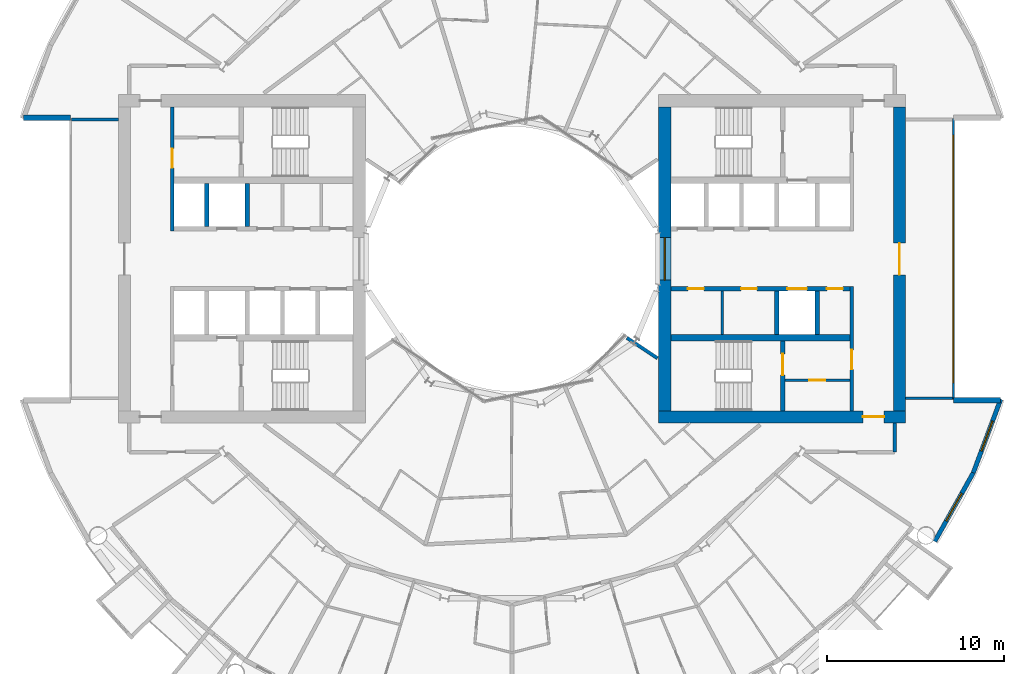
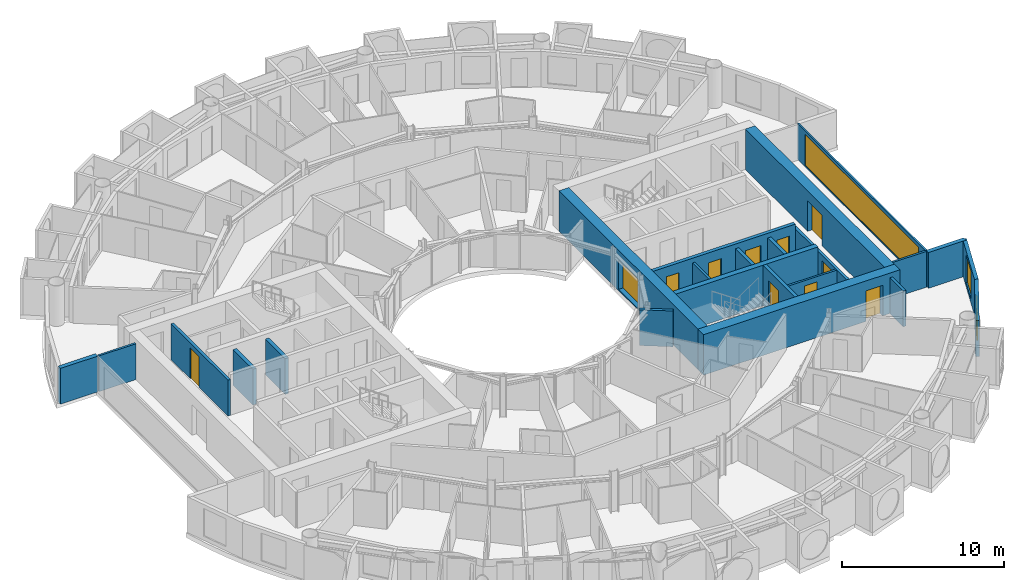
# One storey, part 17 of 26: 23 walls, 10 doors, 4 windows, 14 openings.
"""IFC4 building model written with IfcOpenShell, lengths in metres."""

from ifc_helpers import new_model, si_unit, direction, frame, frame_2d, origin, place, context, subcontext, project, spatial, rectangle, extrude, material, layer, layer_set, type_object, element, fill, save


model = new_model("IFC4")

# Units and contexts
model_context = context("Model", 3, precision=1e-05, world=origin(), true_north=direction((0.0, 1.0)))
body_context = subcontext(model_context, "Body", "Model", "MODEL_VIEW")
ifc_project = project(units=[si_unit("LENGTHUNIT", "METRE"), si_unit("AREAUNIT", "SQUARE_METRE"), si_unit("VOLUMEUNIT", "CUBIC_METRE"), si_unit("PLANEANGLEUNIT", "RADIAN"), si_unit("MASSUNIT", "GRAM", prefix="KILO")], contexts=[model_context])

# Site, building, storey
site_placement = place(None, origin())
site = spatial("IfcSite", under=ifc_project, at=site_placement, CompositionType="ELEMENT")
building_placement = place(site_placement, origin())
building = spatial("IfcBuilding", under=site, at=building_placement, Name="Maasbend Ring Residences", CompositionType="ELEMENT")
storey_placement = place(building_placement, frame((0.0, 0.0, 84.949951171875)))
storey = spatial("IfcBuildingStorey", under=building, at=storey_placement, Name="L24", CompositionType="ELEMENT", Elevation=84.949951171875)

# Wall, openings, doors
ifc_material_1 = material(Name="Concrete C70/85", Category="concrete")
ifc_layer_1 = layer(ifc_material_1, 0.25)
ifc_layer_set_1 = layer_set([ifc_layer_1], Name="Concrete C70/85")
wall_type_1 = type_object("IfcWallType", Name="CORE WALL 250 C70/85", PredefinedType="SHEAR", material=ifc_layer_set_1)
wall_1_placement = place(storey_placement, frame((19.14990234375, -1.699951171875, 0.0), z_axis=(0.0, 0.0, 1.0), x_axis=(-1.0, 0.0, 0.0)))
wall_1 = element("IfcWall", 1, at=wall_1_placement, inside=storey, type_object=wall_type_1, Name="L24 core E wall SPS", PredefinedType="SHEAR", context=body_context, shape_type="SweptSolid", body=[
    extrude(rectangle(XDim=10.14990234375, YDim=0.25, at=frame_2d((5.074951171875, 0.0))), origin(), (0.0, 0.0, 1.0), 3.050048828125),
])
opening_1_placement = place(wall_1_placement, frame((2.449951171875, 0.0, 0.0)))
opening_1 = element("IfcOpeningElement", 2, at=opening_1_placement, cuts=wall_1, Name="Opening LD-E2405", PredefinedType="OPENING", context=body_context, shape_type="SweptSolid", body=[
    extrude(rectangle(XDim=1.10009765625, YDim=2.300048828125, at=frame_2d((0.550048828125, 1.14990234375))), frame((0.0, 0.135009765625, 0.0), z_axis=(0.0, -1.0, 0.0), x_axis=(1.0, 0.0, 0.0)), (0.0, 0.0, 1.0), 0.27001953125),
])
opening_2_placement = place(wall_1_placement, frame((8.28759765625, 0.0, 0.0)))
opening_2 = element("IfcOpeningElement", 3, at=opening_2_placement, cuts=wall_1, Name="Opening D-E2406", PredefinedType="OPENING", context=body_context, shape_type="SweptSolid", body=[
    extrude(rectangle(XDim=0.89990234375, YDim=2.300048828125, at=frame_2d((0.449951171875, 1.14990234375))), frame((0.0, 0.135009765625, 0.0), z_axis=(0.0, -1.0, 0.0), x_axis=(1.0, 0.0, 0.0)), (0.0, 0.0, 1.0), 0.27001953125),
])
opening_3_placement = place(wall_1_placement, frame((5.27490234375, 0.0, 0.0)))
opening_3 = element("IfcOpeningElement", 4, at=opening_3_placement, cuts=wall_1, Name="Opening D-E2407", PredefinedType="OPENING", context=body_context, shape_type="SweptSolid", body=[
    extrude(rectangle(XDim=0.89990234375, YDim=2.300048828125, at=frame_2d((0.449951171875, 1.14990234375))), frame((0.0, 0.135009765625, 0.0), z_axis=(0.0, -1.0, 0.0), x_axis=(1.0, 0.0, 0.0)), (0.0, 0.0, 1.0), 0.27001953125),
])
opening_4_placement = place(wall_1_placement, frame((0.41259765625, 0.0, 0.0)))
opening_4 = element("IfcOpeningElement", 5, at=opening_4_placement, cuts=wall_1, Name="Opening D-E2408", PredefinedType="OPENING", context=body_context, shape_type="SweptSolid", body=[
    extrude(rectangle(XDim=0.89990234375, YDim=2.300048828125, at=frame_2d((0.449951171875, 1.14990234375))), frame((0.0, 0.135009765625, 0.0), z_axis=(0.0, -1.0, 0.0), x_axis=(1.0, 0.0, 0.0)), (0.0, 0.0, 1.0), 0.27001953125),
])
ifc_material_2 = material(Name="Stainless steel 316", Category="steel")
door_type_1 = type_object("IfcDoorType", Name="LANDING DOOR 1100 X 2300 FD60", OperationType="DOUBLE_DOOR_SLIDING", PredefinedType="DOOR", material=ifc_material_2)
door_1_placement = place(opening_1_placement, origin())
door_1 = element("IfcDoor", 6, at=door_1_placement, inside=storey, type_object=door_type_1, Name="Landing door SV-E L24", OperationType="DOUBLE_DOOR_SLIDING", OverallHeight=2.300048828125, OverallWidth=1.10009765625, PredefinedType="DOOR", context=body_context, shape_type="SweptSolid", body=[
    extrude(rectangle(XDim=1.10009765625, YDim=2.300048828125, at=frame_2d((0.550048828125, 1.14990234375))), frame((0.0, 0.02490234375, 0.0), z_axis=(0.0, -1.0, 0.0), x_axis=(1.0, 0.0, 0.0)), (0.0, 0.0, 1.0), 0.050048828125),
])
fill(opening_1, door_1)
ifc_material_3 = material(Name="Steel, powder coated", Category="steel")
door_type_2 = type_object("IfcDoorType", Name="ROOM DOOR 900 X 2300 FD30S", OperationType="NOTDEFINED", PredefinedType="DOOR", material=ifc_material_3)
door_2_placement = place(opening_2_placement, origin())
door_2 = element("IfcDoor", 7, at=door_2_placement, inside=storey, type_object=door_type_2, Name="Room door L24", OperationType="SINGLE_SWING_LEFT", OverallHeight=2.300048828125, OverallWidth=0.89990234375, PredefinedType="DOOR", context=body_context, shape_type="SweptSolid", body=[
    extrude(rectangle(XDim=0.89990234375, YDim=2.300048828125, at=frame_2d((0.449951171875, 1.14990234375))), frame((0.0, 0.02490234375, 0.0), z_axis=(0.0, -1.0, 0.0), x_axis=(1.0, 0.0, 0.0)), (0.0, 0.0, 1.0), 0.050048828125),
])
fill(opening_2, door_2)
door_3_placement = place(opening_3_placement, origin())
door_3 = element("IfcDoor", 8, at=door_3_placement, inside=storey, type_object=door_type_2, Name="Room door L24", OperationType="SINGLE_SWING_LEFT", OverallHeight=2.300048828125, OverallWidth=0.89990234375, PredefinedType="DOOR", context=body_context, shape_type="SweptSolid", body=[
    extrude(rectangle(XDim=0.89990234375, YDim=2.300048828125, at=frame_2d((0.449951171875, 1.14990234375))), frame((0.0, 0.02490234375, 0.0), z_axis=(0.0, -1.0, 0.0), x_axis=(1.0, 0.0, 0.0)), (0.0, 0.0, 1.0), 0.050048828125),
])
fill(opening_3, door_3)
door_4_placement = place(opening_4_placement, origin())
door_4 = element("IfcDoor", 9, at=door_4_placement, inside=storey, type_object=door_type_2, Name="Room door L24", OperationType="SINGLE_SWING_RIGHT", OverallHeight=2.300048828125, OverallWidth=0.89990234375, PredefinedType="DOOR", context=body_context, shape_type="SweptSolid", body=[
    extrude(rectangle(XDim=0.89990234375, YDim=2.300048828125, at=frame_2d((0.449951171875, 1.14990234375))), frame((0.0, 0.02490234375, 0.0), z_axis=(0.0, -1.0, 0.0), x_axis=(1.0, 0.0, 0.0)), (0.0, 0.0, 1.0), 0.050048828125),
])
fill(opening_4, door_4)

# Wall, opening, door
wall_2_placement = place(storey_placement, frame((15.324951171875, -8.60009765625, 0.0), z_axis=(0.0, 0.0, 1.0), x_axis=(0.0, 1.0, 0.0)))
wall_2 = element("IfcWall", 10, at=wall_2_placement, inside=storey, type_object=wall_type_1, Name="L24 core E wall STES", PredefinedType="SHEAR", context=body_context, shape_type="SweptSolid", body=[
    extrude(rectangle(XDim=3.9501953125, YDim=0.25, at=frame_2d((1.97509765625, 0.0))), origin(), (0.0, 0.0, 1.0), 3.050048828125),
])
opening_5_placement = place(wall_2_placement, frame((2.02490234375, 0.0, 0.0)))
opening_5 = element("IfcOpeningElement", 11, at=opening_5_placement, cuts=wall_2, Name="Opening D-E2411", PredefinedType="OPENING", context=body_context, shape_type="SweptSolid", body=[
    extrude(rectangle(XDim=1.199951171875, YDim=2.300048828125, at=frame_2d((0.60009765625, 1.14990234375))), frame((0.0, 0.135009765625, 0.0), z_axis=(0.0, -1.0, 0.0), x_axis=(1.0, 0.0, 0.0)), (0.0, 0.0, 1.0), 0.27001953125),
])
ifc_material_4 = material(Name="Steel, powder coated", Category="steel")
door_type_3 = type_object("IfcDoorType", Name="STAIR DOOR 1200 X 2300 FD60", OperationType="NOTDEFINED", PredefinedType="DOOR", material=ifc_material_4)
door_5_placement = place(opening_5_placement, origin())
door_5 = element("IfcDoor", 12, at=door_5_placement, inside=storey, type_object=door_type_3, Name="Stair door ST-E L24", OperationType="SINGLE_SWING_LEFT", OverallHeight=2.300048828125, OverallWidth=1.199951171875, PredefinedType="DOOR", context=body_context, shape_type="SweptSolid", body=[
    extrude(rectangle(XDim=1.199951171875, YDim=2.300048828125, at=frame_2d((0.60009765625, 1.14990234375))), frame((0.0, 0.02490234375, 0.0), z_axis=(0.0, -1.0, 0.0), x_axis=(1.0, 0.0, 0.0)), (0.0, 0.0, 1.0), 0.050048828125),
])
fill(opening_5, door_5)

# Wall
ifc_material_5 = material(Name="Concrete C70/85", Category="concrete")
ifc_layer_2 = layer(ifc_material_5, 0.375)
ifc_layer_set_2 = layer_set([ifc_layer_2], Name="Concrete C70/85")
wall_type_2 = type_object("IfcWallType", Name="CORE WALL 375 C70/85", PredefinedType="SHEAR", material=ifc_layer_set_2)
wall_3_placement = place(storey_placement, frame((9.0, -4.46240234375, 0.0), z_axis=(0.0, 0.0, 1.0), x_axis=(1.0, 0.0, 0.0)))
element("IfcWall", 13, at=wall_3_placement, inside=storey, type_object=wall_type_2, Name="L24 core E wall BS", PredefinedType="SHEAR", context=body_context, shape_type="SweptSolid", body=[
    extrude(rectangle(XDim=10.14990234375, YDim=0.375, at=frame_2d((5.074951171875, 0.0))), origin(), (0.0, 0.0, 1.0), 3.050048828125),
])

# Wall, opening, door
ifc_material_6 = material(Name="Concrete C70/85", Category="concrete")
ifc_layer_3 = layer(ifc_material_6, 0.699951171875)
ifc_layer_set_3 = layer_set([ifc_layer_3], Name="Concrete C70/85")
wall_type_3 = type_object("IfcWallType", Name="CORE WALL 700 C70/85", PredefinedType="SHEAR", material=ifc_layer_set_3)
wall_4_placement = place(storey_placement, frame((8.300048828125, -8.949951171875, 0.0), z_axis=(0.0, 0.0, 1.0), x_axis=(1.0, 0.0, 0.0)))
wall_4 = element("IfcWall", 14, at=wall_4_placement, inside=storey, type_object=wall_type_3, Name="L24 core E wall PS", PredefinedType="SHEAR", context=body_context, shape_type="SweptSolid", body=[
    extrude(rectangle(XDim=14.0, YDim=0.699951171875, at=frame_2d((7.0, 0.0))), origin(), (0.0, 0.0, 1.0), 3.050048828125),
])
opening_6_placement = place(wall_4_placement, frame((11.574951171875, 0.0, 0.0)))
opening_6 = element("IfcOpeningElement", 15, at=opening_6_placement, cuts=wall_4, Name="Opening D-E2415", PredefinedType="OPENING", context=body_context, shape_type="SweptSolid", body=[
    extrude(rectangle(XDim=1.199951171875, YDim=2.300048828125, at=frame_2d((0.60009765625, 1.14990234375))), frame((0.0, 0.35986328125, 0.0), z_axis=(0.0, -1.0, 0.0), x_axis=(1.0, 0.0, 0.0)), (0.0, 0.0, 1.0), 0.719970703125),
])
ifc_material_7 = material(Name="Steel, powder coated", Category="steel")
door_type_4 = type_object("IfcDoorType", Name="CORRIDOR DOOR 1200 X 2300 FD30S", OperationType="NOTDEFINED", PredefinedType="DOOR", material=ifc_material_7)
door_6_placement = place(opening_6_placement, origin())
door_6 = element("IfcDoor", 16, at=door_6_placement, inside=storey, type_object=door_type_4, Name="Corridor door L24", OperationType="SINGLE_SWING_LEFT", OverallHeight=2.300048828125, OverallWidth=1.199951171875, PredefinedType="DOOR", context=body_context, shape_type="SweptSolid", body=[
    extrude(rectangle(XDim=1.199951171875, YDim=2.300048828125, at=frame_2d((0.60009765625, 1.14990234375))), frame((0.0, 0.02490234375, 0.0), z_axis=(0.0, -1.0, 0.0), x_axis=(1.0, 0.0, 0.0)), (0.0, 0.0, 1.0), 0.050048828125),
])
fill(opening_6, door_6)

wall_5_placement = place(storey_placement, frame((21.949951171875, 8.60009765625, 0.0), z_axis=(0.0, 0.0, 1.0), x_axis=(0.0, -1.0, 0.0)))
wall_5 = element("IfcWall", 17, at=wall_5_placement, inside=storey, type_object=wall_type_3, Name="L24 core E wall POUT", PredefinedType="SHEAR", context=body_context, shape_type="SweptSolid", body=[
    extrude(rectangle(XDim=17.2001953125, YDim=0.699951171875, at=frame_2d((8.60009765625, 0.0))), origin(), (0.0, 0.0, 1.0), 3.050048828125),
])
opening_7_placement = place(wall_5_placement, frame((7.699951171875, 0.0, 0.0)))
opening_7 = element("IfcOpeningElement", 18, at=opening_7_placement, cuts=wall_5, Name="Opening D-E2416", PredefinedType="OPENING", context=body_context, shape_type="SweptSolid", body=[
    extrude(rectangle(XDim=1.800048828125, YDim=2.300048828125, at=frame_2d((0.89990234375, 1.14990234375))), frame((0.0, 0.35986328125, 0.0), z_axis=(0.0, -1.0, 0.0), x_axis=(1.0, 0.0, 0.0)), (0.0, 0.0, 1.0), 0.719970703125),
])
ifc_material_8 = material(Name="Aluminium frame, clear glass", Category="aluminium")
door_type_5 = type_object("IfcDoorType", Name="ENTRANCE DOOR 1800 X 2300 FD60", OperationType="NOTDEFINED", PredefinedType="DOOR", material=ifc_material_8)
door_7_placement = place(opening_7_placement, origin())
door_7 = element("IfcDoor", 19, at=door_7_placement, inside=storey, type_object=door_type_5, Name="Lobby glazed door L24", OperationType="SINGLE_SWING_LEFT", OverallHeight=2.300048828125, OverallWidth=1.800048828125, PredefinedType="DOOR", context=body_context, shape_type="SweptSolid", body=[
    extrude(rectangle(XDim=1.800048828125, YDim=2.300048828125, at=frame_2d((0.89990234375, 1.14990234375))), frame((0.0, 0.02490234375, 0.0), z_axis=(0.0, -1.0, 0.0), x_axis=(1.0, 0.0, 0.0)), (0.0, 0.0, 1.0), 0.050048828125),
])
fill(opening_7, door_7)

# Wall, opening, window
wall_6_placement = place(storey_placement, frame((8.64990234375, -8.60009765625, 0.0), z_axis=(0.0, 0.0, 1.0), x_axis=(0.0, 1.0, 0.0)))
wall_6 = element("IfcWall", 20, at=wall_6_placement, inside=storey, type_object=wall_type_3, Name="L24 core E wall PIN", PredefinedType="SHEAR", context=body_context, shape_type="SweptSolid", body=[
    extrude(rectangle(XDim=17.2001953125, YDim=0.699951171875, at=frame_2d((8.60009765625, 0.0))), origin(), (0.0, 0.0, 1.0), 3.050048828125),
])
opening_8_placement = place(wall_6_placement, frame((7.39990234375, 0.0, 0.10009765625)))
opening_8 = element("IfcOpeningElement", 21, at=opening_8_placement, cuts=wall_6, Name="Opening W-E2401", PredefinedType="OPENING", context=body_context, shape_type="SweptSolid", body=[
    extrude(rectangle(XDim=2.39990234375, YDim=2.199951171875, at=frame_2d((1.199951171875, 1.10009765625))), frame((0.0, 0.35986328125, 0.0), z_axis=(0.0, -1.0, 0.0), x_axis=(1.0, 0.0, 0.0)), (0.0, 0.0, 1.0), 0.719970703125),
])
ifc_material_9 = material(Name="Aluminium frame and clear glass", Category="aluminium")
window_type_1 = type_object("IfcWindowType", Name="FIXED WINDOW 2400 X 2200", PartitioningType="SINGLE_PANEL", PredefinedType="WINDOW", material=ifc_material_9)
window_1_placement = place(opening_8_placement, origin())
window_1 = element("IfcWindow", 22, at=window_1_placement, inside=storey, type_object=window_type_1, Name="Lobby window L24", OverallHeight=2.199951171875, OverallWidth=2.39990234375, PartitioningType="SINGLE_PANEL", PredefinedType="WINDOW", context=body_context, shape_type="SweptSolid", body=[
    extrude(rectangle(XDim=2.39990234375, YDim=2.199951171875, at=frame_2d((1.199951171875, 1.10009765625))), frame((0.0, 0.030029296875, 0.0), z_axis=(0.0, -1.0, 0.0), x_axis=(1.0, 0.0, 0.0)), (0.0, 0.0, 1.0), 0.06005859375),
])
fill(opening_8, window_1)

# Wall
ifc_material_10 = material(Name="Concrete C30/37", Category="concrete")
ifc_layer_4 = layer(ifc_material_10, 0.199951171875)
ifc_layer_set_4 = layer_set([ifc_layer_4], Name="Concrete C30/37")
wall_type_4 = type_object("IfcWallType", Name="CORRIDOR WALL 200 CONCRETE", PredefinedType="PARTITIONING", material=ifc_layer_set_4)
wall_7_placement = place(storey_placement, frame((21.675048828125, -10.949951171875, 0.0), z_axis=(0.0, 0.0, 1.0), x_axis=(0.0, 1.0, 0.0)))
element("IfcWall", 23, at=wall_7_placement, inside=storey, type_object=wall_type_4, Name="U-L24-w001", PredefinedType="PARTITIONING", context=body_context, shape_type="SweptSolid", body=[
    extrude(rectangle(XDim=1.64990234375, YDim=0.199951171875, at=frame_2d((0.824951171875, 0.0))), origin(), (0.0, 0.0, 1.0), 2.699951171875),
])

# Wall, opening, window
ifc_material_11 = material(Name="Aluminium clad insulated panel", Category="aluminium")
ifc_layer_5 = layer(ifc_material_11, 0.25)
ifc_layer_set_5 = layer_set([ifc_layer_5], Name="EW-HORN")
wall_type_5 = type_object("IfcWallType", Name="EW-HORN", PredefinedType="SOLIDWALL", material=ifc_layer_set_5)
wall_8_placement = place(storey_placement, frame((23.946044921875, -16.0, 0.0), z_axis=(0.0, 0.0, 1.0), x_axis=(0.489696356642, 0.871893042919, 0.0)))
wall_8 = element("IfcWall", 24, at=wall_8_placement, inside=storey, type_object=wall_type_5, Name="Horn wall 2.1", PredefinedType="SOLIDWALL", context=body_context, shape_type="SweptSolid", body=[
    extrude(rectangle(XDim=4.45361328125, YDim=0.25, at=frame_2d((2.226806640625, 0.0))), origin(), (0.0, 0.0, 1.0), 2.699951171875),
])
opening_9_placement = place(wall_8_placement, frame((1.32666015625, 0.0, 0.300048828125)))
opening_9 = element("IfcOpeningElement", 25, at=opening_9_placement, cuts=wall_8, Name="Opening W-BX", PredefinedType="OPENING", context=body_context, shape_type="SweptSolid", body=[
    extrude(rectangle(XDim=1.800048828125, YDim=2.10009765625, at=frame_2d((0.89990234375, 1.050048828125))), frame((0.0, 0.135009765625, 0.0), z_axis=(0.0, -1.0, 0.0), x_axis=(1.0, 0.0, 0.0)), (0.0, 0.0, 1.0), 0.27001953125),
])
ifc_material_12 = material(Name="Aluminium and clear glass", Category="aluminium")
window_type_2 = type_object("IfcWindowType", Name="W-BX", PartitioningType="DOUBLE_PANEL_VERTICAL", PredefinedType="WINDOW", material=ifc_material_12)
window_2_placement = place(opening_9_placement, origin())
window_2 = element("IfcWindow", 26, at=window_2_placement, inside=storey, type_object=window_type_2, Name="Horn window 2.1", OverallHeight=2.10009765625, OverallWidth=1.800048828125, PartitioningType="SINGLE_PANEL", PredefinedType="WINDOW", context=body_context, shape_type="SweptSolid", body=[
    extrude(rectangle(XDim=1.800048828125, YDim=2.10009765625, at=frame_2d((0.89990234375, 1.050048828125))), frame((0.0, 0.030029296875, 0.0), z_axis=(0.0, -1.0, 0.0), x_axis=(1.0, 0.0, 0.0)), (0.0, 0.0, 1.0), 0.06005859375),
])
fill(opening_9, window_2)

wall_9_placement = place(storey_placement, frame((26.126953125, -12.116943359375, 0.0), z_axis=(0.0, 0.0, 1.0), x_axis=(0.349247811493, 0.937030397675, 0.0)))
wall_9 = element("IfcWall", 27, at=wall_9_placement, inside=storey, type_object=wall_type_5, Name="Horn wall 2.2", PredefinedType="SOLIDWALL", context=body_context, shape_type="SweptSolid", body=[
    extrude(rectangle(XDim=4.4521484375, YDim=0.25, at=frame_2d((2.22607421875, 0.0))), origin(), (0.0, 0.0, 1.0), 2.699951171875),
])
opening_10_placement = place(wall_9_placement, frame((1.32666015625, 0.0, 0.300048828125)))
opening_10 = element("IfcOpeningElement", 28, at=opening_10_placement, cuts=wall_9, Name="Opening W-BX", PredefinedType="OPENING", context=body_context, shape_type="SweptSolid", body=[
    extrude(rectangle(XDim=1.800048828125, YDim=2.10009765625, at=frame_2d((0.89990234375, 1.050048828125))), frame((0.0, 0.135009765625, 0.0), z_axis=(0.0, -1.0, 0.0), x_axis=(1.0, 0.0, 0.0)), (0.0, 0.0, 1.0), 0.27001953125),
])
window_3_placement = place(opening_10_placement, origin())
window_3 = element("IfcWindow", 29, at=window_3_placement, inside=storey, type_object=window_type_2, Name="Horn window 2.2", OverallHeight=2.10009765625, OverallWidth=1.800048828125, PartitioningType="SINGLE_PANEL", PredefinedType="WINDOW", context=body_context, shape_type="SweptSolid", body=[
    extrude(rectangle(XDim=1.800048828125, YDim=2.10009765625, at=frame_2d((0.89990234375, 1.050048828125))), frame((0.0, 0.030029296875, 0.0), z_axis=(0.0, -1.0, 0.0), x_axis=(1.0, 0.0, 0.0)), (0.0, 0.0, 1.0), 0.06005859375),
])
fill(opening_10, window_3)

# Walls
ifc_material_13 = material(Name="Aluminium clad insulated panel", Category="aluminium")
ifc_layer_6 = layer(ifc_material_13, 0.300048828125)
ifc_layer_set_6 = layer_set([ifc_layer_6], Name="EW-RET")
wall_type_6 = type_object("IfcWallType", Name="EW-RET", PredefinedType="SOLIDWALL", material=ifc_layer_set_6)
for number, where, z_axis, x_axis, name in (
    (30, (25.0, -8.0, 0.0), (0.0, 0.0, 1.0), (1.0, 0.0, 0.0), "Notch return wall east south"),
    (31, (-25.0, 8.0, 0.0), (0.0, 0.0, 1.0), (-1.0, 0.0, 0.0), "Notch return wall west north"),
):
    element("IfcWall", number, at=place(storey_placement, frame(where, z_axis=z_axis, x_axis=x_axis)), inside=storey, type_object=wall_type_6, Name=name, PredefinedType="SOLIDWALL", context=body_context, shape_type="SweptSolid", body=[
        extrude(rectangle(XDim=2.6669921875, YDim=0.300048828125, at=frame_2d((1.33349609375, 0.0))), origin(), (0.0, 0.0, 1.0), 2.699951171875),
    ])

# Wall, opening, window
ifc_material_14 = material(Name="Aluminium frame and clear glass", Category="aluminium")
ifc_layer_7 = layer(ifc_material_14, 0.1201171875)
ifc_layer_set_7 = layer_set([ifc_layer_7], Name="GLAZED SCREEN WALL 120 EI 60")
wall_type_7 = type_object("IfcWallType", Name="GLAZED SCREEN WALL 120 EI 60", PredefinedType="PARTITIONING", material=ifc_layer_set_7)
wall_10_placement = place(storey_placement, frame((25.0, -7.949951171875, 0.0), z_axis=(0.0, 0.0, 1.0), x_axis=(0.0, 1.0, 0.0)))
wall_10 = element("IfcWall", 32, at=wall_10_placement, inside=storey, type_object=wall_type_7, Name="L24 core E wall FACE", PredefinedType="PARTITIONING", context=body_context, shape_type="SweptSolid", body=[
    extrude(rectangle(XDim=15.89990234375, YDim=0.1201171875, at=frame_2d((7.949951171875, 0.0))), origin(), (0.0, 0.0, 1.0), 2.699951171875),
])
opening_11_placement = place(wall_10_placement, frame((0.949951171875, 0.0, 0.10009765625)))
opening_11 = element("IfcOpeningElement", 33, at=opening_11_placement, cuts=wall_10, Name="Opening W-E2402", PredefinedType="OPENING", context=body_context, shape_type="SweptSolid", body=[
    extrude(rectangle(XDim=14.0, YDim=2.35009765625, at=frame_2d((7.0, 1.175048828125))), frame((0.0, 0.070068359375, 0.0), z_axis=(0.0, -1.0, 0.0), x_axis=(1.0, 0.0, 0.0)), (0.0, 0.0, 1.0), 0.14013671875),
])
ifc_material_15 = material(Name="Aluminium frame and clear glass", Category="aluminium")
window_type_3 = type_object("IfcWindowType", Name="FIXED WINDOW 14000 X 2350", PartitioningType="SINGLE_PANEL", PredefinedType="WINDOW", material=ifc_material_15)
window_4_placement = place(opening_11_placement, origin())
window_4 = element("IfcWindow", 34, at=window_4_placement, inside=storey, type_object=window_type_3, Name="Lobby window L24", OverallHeight=2.35009765625, OverallWidth=14.0, PartitioningType="SINGLE_PANEL", PredefinedType="WINDOW", context=body_context, shape_type="SweptSolid", body=[
    extrude(rectangle(XDim=14.0, YDim=2.35009765625, at=frame_2d((7.0, 1.175048828125))), frame((0.0, 0.030029296875, 0.0), z_axis=(0.0, -1.0, 0.0), x_axis=(1.0, 0.0, 0.0)), (0.0, 0.0, 1.0), 0.06005859375),
])
fill(opening_11, window_4)

# Wall
ifc_material_16 = material(Name="Gypsum board on steel studs", Category="steel")
ifc_layer_8 = layer(ifc_material_16, 0.14990234375)
ifc_layer_set_8 = layer_set([ifc_layer_8], Name="PARTITION 150 EI 60")
wall_type_8 = type_object("IfcWallType", Name="PARTITION 150 EI 60", PredefinedType="PARTITIONING", material=ifc_layer_set_8)
wall_11_placement = place(storey_placement, frame((11.89990234375, -1.824951171875, 0.0), z_axis=(0.0, 0.0, 1.0), x_axis=(0.0, -1.0, 0.0)))
element("IfcWall", 35, at=wall_11_placement, inside=storey, type_object=wall_type_8, Name="L24 core E wall PRS1190", PredefinedType="PARTITIONING", context=body_context, shape_type="SweptSolid", body=[
    extrude(rectangle(XDim=2.449951171875, YDim=0.14990234375, at=frame_2d((1.22509765625, 0.0))), origin(), (0.0, 0.0, 1.0), 2.699951171875),
])

# Wall, opening, door
wall_12_placement = place(storey_placement, frame((15.449951171875, -6.875, 0.0), z_axis=(0.0, 0.0, 1.0), x_axis=(1.0, 0.0, 0.0)))
wall_12 = element("IfcWall", 36, at=wall_12_placement, inside=storey, type_object=wall_type_8, Name="L24 core E wall RHS", PredefinedType="PARTITIONING", context=body_context, shape_type="SweptSolid", body=[
    extrude(rectangle(XDim=3.699951171875, YDim=0.14990234375, at=frame_2d((1.85009765625, 0.0))), origin(), (0.0, 0.0, 1.0), 2.699951171875),
])
opening_12_placement = place(wall_12_placement, frame((1.39990234375, 0.0, 0.0)))
opening_12 = element("IfcOpeningElement", 37, at=opening_12_placement, cuts=wall_12, Name="Opening D-E2409", PredefinedType="OPENING", context=body_context, shape_type="SweptSolid", body=[
    extrude(rectangle(XDim=0.89990234375, YDim=2.300048828125, at=frame_2d((0.449951171875, 1.14990234375))), frame((0.0, 0.0849609375, 0.0), z_axis=(0.0, -1.0, 0.0), x_axis=(1.0, 0.0, 0.0)), (0.0, 0.0, 1.0), 0.169921875),
])
ifc_material_17 = material(Name="Steel, powder coated", Category="steel")
door_type_6 = type_object("IfcDoorType", Name="RISER DOOR 900 X 2300 FD60", OperationType="NOTDEFINED", PredefinedType="DOOR", material=ifc_material_17)
door_8_placement = place(opening_12_placement, origin())
door_8 = element("IfcDoor", 38, at=door_8_placement, inside=storey, type_object=door_type_6, Name="Riser door L24", OperationType="SINGLE_SWING_LEFT", OverallHeight=2.300048828125, OverallWidth=0.89990234375, PredefinedType="DOOR", context=body_context, shape_type="SweptSolid", body=[
    extrude(rectangle(XDim=0.89990234375, YDim=2.300048828125, at=frame_2d((0.449951171875, 1.14990234375))), frame((0.0, 0.02490234375, 0.0), z_axis=(0.0, -1.0, 0.0), x_axis=(1.0, 0.0, 0.0)), (0.0, 0.0, 1.0), 0.050048828125),
])
fill(opening_12, door_8)

# Walls
for number, where, z_axis, x_axis, name in (
    (39, (22.300048828125, -7.89990234375, 0.0), (0.0, 0.0, 1.0), (1.0, 0.0, 0.0), "L24 core E wall CITS"),
    (40, (-22.300048828125, 7.89990234375, 0.0), (0.0, 0.0, 1.0), (-1.0, 0.0, 0.0), "L24 core W wall CITS"),
):
    element("IfcWall", number, at=place(storey_placement, frame(where, z_axis=z_axis, x_axis=x_axis)), inside=storey, type_object=wall_type_8, Name=name, PredefinedType="PARTITIONING", context=body_context, shape_type="SweptSolid", body=[
        extrude(rectangle(XDim=2.639892578125, YDim=0.14990234375, at=frame_2d((1.31982421875, 0.0))), origin(), (0.0, 0.0, 1.0), 2.699951171875),
    ])
ifc_material_18 = material(Name="Concrete C30/37", Category="concrete")
ifc_layer_9 = layer(ifc_material_18, 0.199951171875)
ifc_layer_set_9 = layer_set([ifc_layer_9], Name="Concrete C30/37")
wall_type_9 = type_object("IfcWallType", Name="PARTY WALL 200 CONCRETE", PredefinedType="PARTITIONING", material=ifc_layer_set_9)
wall_13_placement = place(storey_placement, frame((6.512939453125, -4.471923828125, 0.0), z_axis=(0.0, 0.0, 1.0), x_axis=(0.831382204863, -0.555701025225, 0.0)))
element("IfcWall", 41, at=wall_13_placement, inside=storey, type_object=wall_type_9, Name="U-L24-w027", PredefinedType="PARTITIONING", context=body_context, shape_type="SweptSolid", body=[
    extrude(rectangle(XDim=2.08203125, YDim=0.199951171875, at=frame_2d((1.041015625, 0.0))), origin(), (0.0, 0.0, 1.0), 2.699951171875),
])

# Wall, opening, door
ifc_material_19 = material(Name="Concrete C30/37", Category="concrete")
ifc_layer_10 = layer(ifc_material_19, 0.199951171875)
ifc_layer_set_10 = layer_set([ifc_layer_10], Name="Concrete C30/37")
wall_type_10 = type_object("IfcWallType", Name="SHAFT WALL 200 EI 120", PredefinedType="SOLIDWALL", material=ifc_layer_set_10)
wall_14_placement = place(storey_placement, frame((19.25, -8.60009765625, 0.0), z_axis=(0.0, 0.0, 1.0), x_axis=(0.0, 1.0, 0.0)))
wall_14 = element("IfcWall", 42, at=wall_14_placement, inside=storey, type_object=wall_type_10, Name="L24 core E wall ENDS", PredefinedType="SOLIDWALL", context=body_context, shape_type="SweptSolid", body=[
    extrude(rectangle(XDim=7.025146484375, YDim=0.199951171875, at=frame_2d((3.5126953125, 0.0))), origin(), (0.0, 0.0, 1.0), 2.699951171875),
])
opening_13_placement = place(wall_14_placement, frame((2.35009765625, 0.0, 0.0)))
opening_13 = element("IfcOpeningElement", 43, at=opening_13_placement, cuts=wall_14, Name="Opening D-E2413", PredefinedType="OPENING", context=body_context, shape_type="SweptSolid", body=[
    extrude(rectangle(XDim=1.10009765625, YDim=2.300048828125, at=frame_2d((0.550048828125, 1.14990234375))), frame((0.0, 0.10986328125, 0.0), z_axis=(0.0, -1.0, 0.0), x_axis=(1.0, 0.0, 0.0)), (0.0, 0.0, 1.0), 0.219970703125),
])
ifc_material_20 = material(Name="Steel, powder coated", Category="steel")
door_type_7 = type_object("IfcDoorType", Name="LOBBY DOOR 1100 X 2300 FD60", OperationType="NOTDEFINED", PredefinedType="DOOR", material=ifc_material_20)
door_9_placement = place(opening_13_placement, origin())
door_9 = element("IfcDoor", 44, at=door_9_placement, inside=storey, type_object=door_type_7, Name="Lobby door L24", OperationType="SINGLE_SWING_RIGHT", OverallHeight=2.300048828125, OverallWidth=1.10009765625, PredefinedType="DOOR", context=body_context, shape_type="SweptSolid", body=[
    extrude(rectangle(XDim=1.10009765625, YDim=2.300048828125, at=frame_2d((0.550048828125, 1.14990234375))), frame((0.0, 0.02490234375, 0.0), z_axis=(0.0, -1.0, 0.0), x_axis=(1.0, 0.0, 0.0)), (0.0, 0.0, 1.0), 0.050048828125),
])
fill(opening_13, door_9)

wall_15_placement = place(storey_placement, frame((-19.25, 8.60009765625, 0.0), z_axis=(0.0, 0.0, 1.0), x_axis=(0.0, -1.0, 0.0)))
wall_15 = element("IfcWall", 45, at=wall_15_placement, inside=storey, type_object=wall_type_10, Name="L24 core W wall ENDS", PredefinedType="SOLIDWALL", context=body_context, shape_type="SweptSolid", body=[
    extrude(rectangle(XDim=7.025146484375, YDim=0.199951171875, at=frame_2d((3.5126953125, 0.0))), origin(), (0.0, 0.0, 1.0), 2.699951171875),
])
opening_14_placement = place(wall_15_placement, frame((2.35009765625, 0.0, 0.0)))
opening_14 = element("IfcOpeningElement", 46, at=opening_14_placement, cuts=wall_15, Name="Opening D-W2413", PredefinedType="OPENING", context=body_context, shape_type="SweptSolid", body=[
    extrude(rectangle(XDim=1.10009765625, YDim=2.300048828125, at=frame_2d((0.550048828125, 1.14990234375))), frame((0.0, 0.10986328125, 0.0), z_axis=(0.0, -1.0, 0.0), x_axis=(1.0, 0.0, 0.0)), (0.0, 0.0, 1.0), 0.219970703125),
])
door_10_placement = place(opening_14_placement, origin())
door_10 = element("IfcDoor", 47, at=door_10_placement, inside=storey, type_object=door_type_7, Name="Lobby door L24", OperationType="SINGLE_SWING_RIGHT", OverallHeight=2.300048828125, OverallWidth=1.10009765625, PredefinedType="DOOR", context=body_context, shape_type="SweptSolid", body=[
    extrude(rectangle(XDim=1.10009765625, YDim=2.300048828125, at=frame_2d((0.550048828125, 1.14990234375))), frame((0.0, 0.02490234375, 0.0), z_axis=(0.0, -1.0, 0.0), x_axis=(1.0, 0.0, 0.0)), (0.0, 0.0, 1.0), 0.050048828125),
])
fill(opening_14, door_10)

# Walls
ifc_material_21 = material(Name="Concrete C30/37", Category="concrete")
ifc_layer_11 = layer(ifc_material_21, 0.25)
ifc_layer_set_11 = layer_set([ifc_layer_11], Name="Concrete C30/37")
wall_type_11 = type_object("IfcWallType", Name="SHAFT WALL 250 EI 120", PredefinedType="SOLIDWALL", material=ifc_layer_set_11)
for number, where, z_axis, x_axis, name in (
    (48, (15.0, -1.824951171875, 0.0), (0.0, 0.0, 1.0), (0.0, -1.0, 0.0), "L24 core E wall D150S"),
    (49, (17.300048828125, -1.824951171875, 0.0), (0.0, 0.0, 1.0), (0.0, -1.0, 0.0), "L24 core E wall D173S"),
    (50, (-15.0, 1.824951171875, 0.0), (0.0, 0.0, 1.0), (0.0, 1.0, 0.0), "L24 core W wall D150S"),
    (51, (-17.300048828125, 1.824951171875, 0.0), (0.0, 0.0, 1.0), (0.0, 1.0, 0.0), "L24 core W wall D173S"),
):
    element("IfcWall", number, at=place(storey_placement, frame(where, z_axis=z_axis, x_axis=x_axis)), inside=storey, type_object=wall_type_11, Name=name, PredefinedType="SOLIDWALL", context=body_context, shape_type="SweptSolid", body=[
        extrude(rectangle(XDim=2.449951171875, YDim=0.25, at=frame_2d((1.22509765625, 0.0))), origin(), (0.0, 0.0, 1.0), 2.699951171875),
    ])

save(model, "model.ifc")
